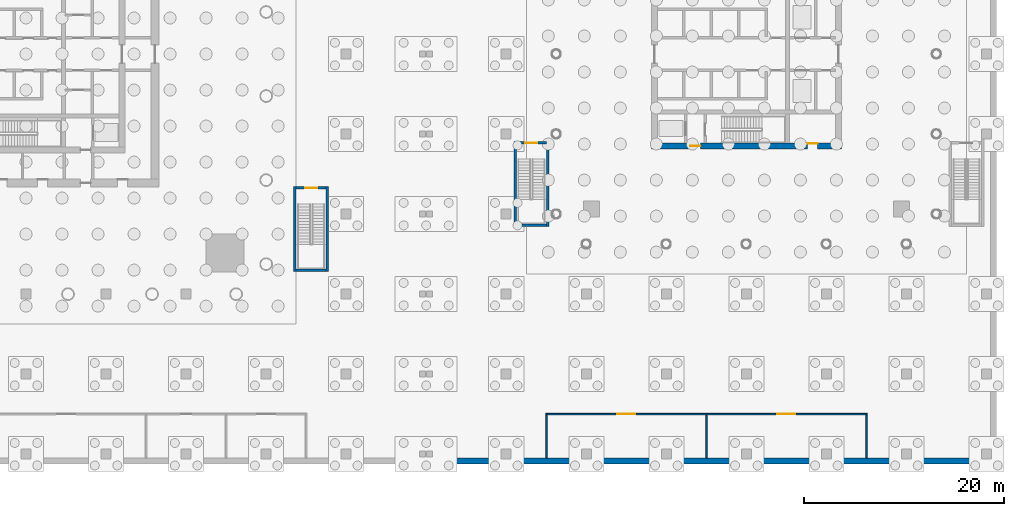
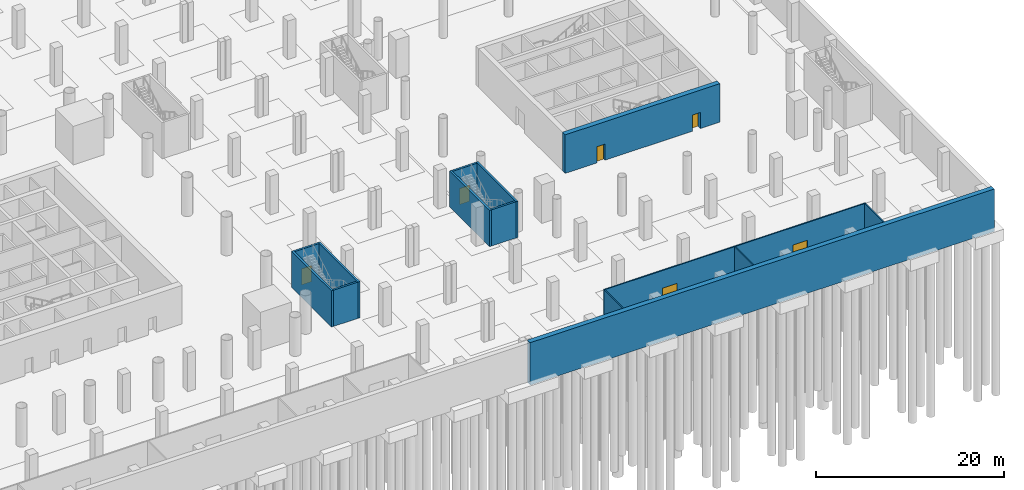
# One storey, part 14 of 24: 14 walls, 6 doors, 6 openings.
"""IFC4 building model written with IfcOpenShell, lengths in metres."""

from ifc_helpers import new_model, si_unit, direction, frame, frame_2d, origin, place, context, subcontext, project, spatial, rectangle, extrude, material, layer, layer_set, type_object, element, fill, save


model = new_model("IFC4")

# Units and contexts
model_context = context("Model", 3, precision=1e-05, world=origin(), true_north=direction((0.0, 1.0)))
body_context = subcontext(model_context, "Body", "Model", "MODEL_VIEW")
ifc_project = project(units=[si_unit("LENGTHUNIT", "METRE"), si_unit("AREAUNIT", "SQUARE_METRE"), si_unit("VOLUMEUNIT", "CUBIC_METRE"), si_unit("PLANEANGLEUNIT", "RADIAN"), si_unit("MASSUNIT", "GRAM", prefix="KILO")], contexts=[model_context])

# Site, building, storey
site_placement = place(None, origin())
site = spatial("IfcSite", under=ifc_project, at=site_placement, CompositionType="ELEMENT")
building_placement = place(site_placement, origin())
building = spatial("IfcBuilding", under=site, at=building_placement, Name="Ostroluk Exchange", CompositionType="ELEMENT")
storey_placement = place(building_placement, frame((0.0, 0.0, -10.0)))
storey = spatial("IfcBuildingStorey", under=building, at=storey_placement, Name="B2", CompositionType="ELEMENT", Elevation=-10.0)

# Walls
ifc_material_1 = material(Name="Concrete C35/45", Category="concrete")
ifc_layer_1 = layer(ifc_material_1, 0.60009765625)
ifc_layer_set_1 = layer_set([ifc_layer_1], Name="Basement retaining wall 600")
wall_type_1 = type_object("IfcWallType", Name="Basement retaining wall 600", PredefinedType="USERDEFINED", material=ifc_layer_set_1)
wall_1_placement = place(storey_placement, frame((85.02490234375, 5.300048828125, -0.5), z_axis=(0.0, 0.0, 1.0), x_axis=(1.0, 0.0, 0.0)))
element("IfcWall", 1, at=wall_1_placement, inside=storey, type_object=wall_type_1, Name="Retaining wall B2 SE", ObjectType="RETAINING WALL", PredefinedType="USERDEFINED", context=body_context, shape_type="SweptSolid", body=[
    extrude(rectangle(XDim=56.97509765625, YDim=0.60009765625, at=frame_2d((28.487548828125, 0.0))), origin(), (0.0, 0.0, 1.0), 5.5),
])
ifc_material_2 = material(Name="Concrete blockwork", Category="masonry")
ifc_layer_2 = layer(ifc_material_2, 0.25)
ifc_layer_set_2 = layer_set([ifc_layer_2], Name="Blockwork stair enclosure wall 250")
wall_type_2 = type_object("IfcWallType", Name="Blockwork stair enclosure wall 250", PredefinedType="SOLIDWALL", material=ifc_layer_set_2)
for number, where, z_axis, x_axis, name in (
    (2, (71.875, 24.25, 0.0), (0.0, 0.0, 1.0), (0.0, 1.0, 0.0), "Stair PS3 enclosure wall"),
    (3, (75.125, 24.25, 0.0), (0.0, 0.0, 1.0), (0.0, 1.0, 0.0), "Stair PS3 enclosure wall"),
):
    element("IfcWall", number, at=place(storey_placement, frame(where, z_axis=z_axis, x_axis=x_axis)), inside=storey, type_object=wall_type_2, Name=name, PredefinedType="SOLIDWALL", context=body_context, shape_type="SweptSolid", body=[
        extrude(rectangle(XDim=8.5, YDim=0.25, at=frame_2d((4.25, 0.0))), origin(), (0.0, 0.0, 1.0), 4.699951171875),
    ])
wall_2_placement = place(storey_placement, frame((72.0, 24.375, 0.0), z_axis=(0.0, 0.0, 1.0), x_axis=(1.0, 0.0, 0.0)))
element("IfcWall", 4, at=wall_2_placement, inside=storey, type_object=wall_type_2, Name="Stair PS3 enclosure wall", PredefinedType="SOLIDWALL", context=body_context, shape_type="SweptSolid", body=[
    extrude(rectangle(XDim=3.0, YDim=0.25, at=frame_2d((1.5, 0.0))), origin(), (0.0, 0.0, 1.0), 4.699951171875),
])

# Wall, opening, door
wall_3_placement = place(storey_placement, frame((72.0, 32.625, 0.0), z_axis=(0.0, 0.0, 1.0), x_axis=(1.0, 0.0, 0.0)))
wall_3 = element("IfcWall", 5, at=wall_3_placement, inside=storey, type_object=wall_type_2, Name="Stair PS3 enclosure wall", PredefinedType="SOLIDWALL", context=body_context, shape_type="SweptSolid", body=[
    extrude(rectangle(XDim=3.0, YDim=0.25, at=frame_2d((1.5, 0.0))), origin(), (0.0, 0.0, 1.0), 4.699951171875),
])
opening_1_placement = place(wall_3_placement, frame((0.89990234375, 0.0, 0.0)))
opening_1 = element("IfcOpeningElement", 6, at=opening_1_placement, cuts=wall_3, Name="Opening FD60S", PredefinedType="OPENING", context=body_context, shape_type="SweptSolid", body=[
    extrude(rectangle(XDim=1.199951171875, YDim=2.10009765625, at=frame_2d((0.60009765625, 1.050048828125))), frame((0.0, 0.135009765625, 0.0), z_axis=(0.0, -1.0, 0.0), x_axis=(1.0, 0.0, 0.0)), (0.0, 0.0, 1.0), 0.27001953125),
])
ifc_material_3 = material(Name="Steel", Category="steel")
door_type_1 = type_object("IfcDoorType", Name="Stair door EI 60 1200 x 2100", OperationType="SINGLE_SWING_LEFT", PredefinedType="DOOR", material=ifc_material_3)
door_1_placement = place(opening_1_placement, origin())
door_1 = element("IfcDoor", 7, at=door_1_placement, inside=storey, type_object=door_type_1, Name="Stair PS3 door", OperationType="SINGLE_SWING_LEFT", OverallHeight=2.10009765625, OverallWidth=1.199951171875, PredefinedType="DOOR", context=body_context, shape_type="SweptSolid", body=[
    extrude(rectangle(XDim=1.199951171875, YDim=2.10009765625, at=frame_2d((0.60009765625, 1.050048828125))), frame((0.0, 0.02490234375, 0.0), z_axis=(0.0, -1.0, 0.0), x_axis=(1.0, 0.0, 0.0)), (0.0, 0.0, 1.0), 0.050048828125),
])
fill(opening_1, door_1)

# Walls
for number, where, z_axis, x_axis, name in (
    (8, (93.875, 28.75, 0.0), (0.0, 0.0, 1.0), (0.0, 1.0, 0.0), "Stair PS5 enclosure wall"),
    (9, (97.125, 28.75, 0.0), (0.0, 0.0, 1.0), (0.0, 1.0, 0.0), "Stair PS5 enclosure wall"),
):
    element("IfcWall", number, at=place(storey_placement, frame(where, z_axis=z_axis, x_axis=x_axis)), inside=storey, type_object=wall_type_2, Name=name, PredefinedType="SOLIDWALL", context=body_context, shape_type="SweptSolid", body=[
        extrude(rectangle(XDim=8.5, YDim=0.25, at=frame_2d((4.25, 0.0))), origin(), (0.0, 0.0, 1.0), 4.699951171875),
    ])
wall_4_placement = place(storey_placement, frame((94.0, 28.875, 0.0), z_axis=(0.0, 0.0, 1.0), x_axis=(1.0, 0.0, 0.0)))
element("IfcWall", 10, at=wall_4_placement, inside=storey, type_object=wall_type_2, Name="Stair PS5 enclosure wall", PredefinedType="SOLIDWALL", context=body_context, shape_type="SweptSolid", body=[
    extrude(rectangle(XDim=3.0, YDim=0.25, at=frame_2d((1.5, 0.0))), origin(), (0.0, 0.0, 1.0), 4.699951171875),
])

# Wall, opening, door
wall_5_placement = place(storey_placement, frame((94.0, 37.125, 0.0), z_axis=(0.0, 0.0, 1.0), x_axis=(1.0, 0.0, 0.0)))
wall_5 = element("IfcWall", 11, at=wall_5_placement, inside=storey, type_object=wall_type_2, Name="Stair PS5 enclosure wall", PredefinedType="SOLIDWALL", context=body_context, shape_type="SweptSolid", body=[
    extrude(rectangle(XDim=3.0, YDim=0.25, at=frame_2d((1.5, 0.0))), origin(), (0.0, 0.0, 1.0), 4.699951171875),
])
opening_2_placement = place(wall_5_placement, frame((0.89990234375, 0.0, 0.0)))
opening_2 = element("IfcOpeningElement", 12, at=opening_2_placement, cuts=wall_5, Name="Opening FD60S", PredefinedType="OPENING", context=body_context, shape_type="SweptSolid", body=[
    extrude(rectangle(XDim=1.199951171875, YDim=2.10009765625, at=frame_2d((0.60009765625, 1.050048828125))), frame((0.0, 0.135009765625, 0.0), z_axis=(0.0, -1.0, 0.0), x_axis=(1.0, 0.0, 0.0)), (0.0, 0.0, 1.0), 0.27001953125),
])
door_2_placement = place(opening_2_placement, origin())
door_2 = element("IfcDoor", 13, at=door_2_placement, inside=storey, type_object=door_type_1, Name="Stair PS5 door", OperationType="SINGLE_SWING_LEFT", OverallHeight=2.10009765625, OverallWidth=1.199951171875, PredefinedType="DOOR", context=body_context, shape_type="SweptSolid", body=[
    extrude(rectangle(XDim=1.199951171875, YDim=2.10009765625, at=frame_2d((0.60009765625, 1.050048828125))), frame((0.0, 0.02490234375, 0.0), z_axis=(0.0, -1.0, 0.0), x_axis=(1.0, 0.0, 0.0)), (0.0, 0.0, 1.0), 0.050048828125),
])
fill(opening_2, door_2)

# Wall, openings, doors
ifc_material_4 = material(Name="Concrete C50/60", Category="concrete")
ifc_layer_3 = layer(ifc_material_4, 0.60009765625)
ifc_layer_set_3 = layer_set([ifc_layer_3], Name="Core wall 600 C50/60")
wall_type_3 = type_object("IfcWallType", Name="Core wall 600 C50/60", PredefinedType="SHEAR", material=ifc_layer_set_3)
wall_6_placement = place(storey_placement, frame((107.5, 36.800048828125, 0.0), z_axis=(0.0, 0.0, 1.0), x_axis=(1.0, 0.0, 0.0)))
wall_6 = element("IfcWall", 14, at=wall_6_placement, inside=storey, type_object=wall_type_3, Name="T2 core wall S", PredefinedType="SHEAR", context=body_context, shape_type="SweptSolid", body=[
    extrude(rectangle(XDim=19.0, YDim=0.60009765625, at=frame_2d((9.5, 0.0))), origin(), (0.0, 0.0, 1.0), 5.0),
])
opening_3_placement = place(wall_6_placement, frame((3.89990234375, 0.0, 0.0)))
opening_3 = element("IfcOpeningElement", 15, at=opening_3_placement, cuts=wall_6, Name="Opening FD60", PredefinedType="OPENING", context=body_context, shape_type="SweptSolid", body=[
    extrude(rectangle(XDim=1.0, YDim=2.10009765625, at=frame_2d((0.5, 1.050048828125))), frame((0.0, 0.31005859375, 0.0), z_axis=(0.0, -1.0, 0.0), x_axis=(1.0, 0.0, 0.0)), (0.0, 0.0, 1.0), 0.6201171875),
])
opening_4_placement = place(wall_6_placement, frame((15.614990234375, 0.0, 0.0)))
opening_4 = element("IfcOpeningElement", 16, at=opening_4_placement, cuts=wall_6, Name="Opening FD60", PredefinedType="OPENING", context=body_context, shape_type="SweptSolid", body=[
    extrude(rectangle(XDim=1.0, YDim=2.10009765625, at=frame_2d((0.5, 1.050048828125))), frame((0.0, 0.31005859375, 0.0), z_axis=(0.0, -1.0, 0.0), x_axis=(1.0, 0.0, 0.0)), (0.0, 0.0, 1.0), 0.6201171875),
])
ifc_material_5 = material(Name="Steel", Category="steel")
door_type_2 = type_object("IfcDoorType", Name="Fire door EI 60 1000 x 2100", OperationType="SINGLE_SWING_LEFT", PredefinedType="DOOR", material=ifc_material_5)
door_3_placement = place(opening_3_placement, origin())
door_3 = element("IfcDoor", 17, at=door_3_placement, inside=storey, type_object=door_type_2, Name="Firefighting lobby door", OperationType="SINGLE_SWING_LEFT", OverallHeight=2.10009765625, OverallWidth=1.0, PredefinedType="DOOR", context=body_context, shape_type="SweptSolid", body=[
    extrude(rectangle(XDim=1.0, YDim=2.10009765625, at=frame_2d((0.5, 1.050048828125))), frame((0.0, 0.02490234375, 0.0), z_axis=(0.0, -1.0, 0.0), x_axis=(1.0, 0.0, 0.0)), (0.0, 0.0, 1.0), 0.050048828125),
])
fill(opening_3, door_3)
door_4_placement = place(opening_4_placement, origin())
door_4 = element("IfcDoor", 18, at=door_4_placement, inside=storey, type_object=door_type_2, Name="Electrical switch room door", OperationType="SINGLE_SWING_RIGHT", OverallHeight=2.10009765625, OverallWidth=1.0, PredefinedType="DOOR", context=body_context, shape_type="SweptSolid", body=[
    extrude(rectangle(XDim=1.0, YDim=2.10009765625, at=frame_2d((0.5, 1.050048828125))), frame((0.0, 0.2900390625, 0.0), z_axis=(0.0, -1.0, 0.0), x_axis=(1.0, 0.0, 0.0)), (0.0, 0.0, 1.0), 0.050048828125),
])
fill(opening_4, door_4)

ifc_material_6 = material(Name="Gypsum plasterboard partition", Category="gypsum")
ifc_layer_4 = layer(ifc_material_6, 0.14990234375)
ifc_layer_set_4 = layer_set([ifc_layer_4], Name="Plasterboard partition 150")
wall_type_4 = type_object("IfcWallType", Name="Plasterboard partition 150", PredefinedType="PARTITIONING", material=ifc_layer_set_4)
wall_7_placement = place(storey_placement, frame((96.925048828125, 10.0, 0.0), z_axis=(0.0, 0.0, 1.0), x_axis=(1.0, 0.0, 0.0)))
wall_7 = element("IfcWall", 19, at=wall_7_placement, inside=storey, type_object=wall_type_4, Name="Partition", PredefinedType="PARTITIONING", context=body_context, shape_type="SweptSolid", body=[
    extrude(rectangle(XDim=32.14990234375, YDim=0.14990234375, at=frame_2d((16.074951171875, 0.0))), origin(), (0.0, 0.0, 1.0), 4.699951171875),
])
opening_5_placement = place(wall_7_placement, frame((7.175048828125, 0.0, 0.0)))
opening_5 = element("IfcOpeningElement", 20, at=opening_5_placement, cuts=wall_7, Name="Opening D-04", PredefinedType="OPENING", context=body_context, shape_type="SweptSolid", body=[
    extrude(rectangle(XDim=1.800048828125, YDim=2.39990234375, at=frame_2d((0.89990234375, 1.199951171875))), frame((0.0, 0.0849609375, 0.0), z_axis=(0.0, -1.0, 0.0), x_axis=(1.0, 0.0, 0.0)), (0.0, 0.0, 1.0), 0.169921875),
])
opening_6_placement = place(wall_7_placement, frame((23.175048828125, 0.0, 0.0)))
opening_6 = element("IfcOpeningElement", 21, at=opening_6_placement, cuts=wall_7, Name="Opening D-05", PredefinedType="OPENING", context=body_context, shape_type="SweptSolid", body=[
    extrude(rectangle(XDim=1.800048828125, YDim=2.39990234375, at=frame_2d((0.89990234375, 1.199951171875))), frame((0.0, 0.0849609375, 0.0), z_axis=(0.0, -1.0, 0.0), x_axis=(1.0, 0.0, 0.0)), (0.0, 0.0, 1.0), 0.169921875),
])
ifc_material_7 = material(Name="Timber", Category="wood")
door_type_3 = type_object("IfcDoorType", Name="Double door 1800 x 2400", OperationType="DOUBLE_DOOR_SINGLE_SWING", PredefinedType="DOOR", material=ifc_material_7)
door_5_placement = place(opening_5_placement, origin())
door_5 = element("IfcDoor", 22, at=door_5_placement, inside=storey, type_object=door_type_3, Name="Hotel boiler and pump plant room door", OperationType="DOUBLE_DOOR_SINGLE_SWING", OverallHeight=2.39990234375, OverallWidth=1.800048828125, PredefinedType="DOOR", context=body_context, shape_type="SweptSolid", body=[
    extrude(rectangle(XDim=1.800048828125, YDim=2.39990234375, at=frame_2d((0.89990234375, 1.199951171875))), frame((0.0, 0.02490234375, 0.0), z_axis=(0.0, -1.0, 0.0), x_axis=(1.0, 0.0, 0.0)), (0.0, 0.0, 1.0), 0.050048828125),
])
fill(opening_5, door_5)
ifc_material_8 = material(Name="Steel", Category="steel")
door_type_4 = type_object("IfcDoorType", Name="Plant room double door EI 60 1800 x 2400", OperationType="DOUBLE_DOOR_SINGLE_SWING", PredefinedType="DOOR", material=ifc_material_8)
door_6_placement = place(opening_6_placement, origin())
door_6 = element("IfcDoor", 23, at=door_6_placement, inside=storey, type_object=door_type_4, Name="Laundry plant room door", OperationType="DOUBLE_DOOR_SINGLE_SWING", OverallHeight=2.39990234375, OverallWidth=1.800048828125, PredefinedType="DOOR", context=body_context, shape_type="SweptSolid", body=[
    extrude(rectangle(XDim=1.800048828125, YDim=2.39990234375, at=frame_2d((0.89990234375, 1.199951171875))), frame((0.0, 0.02490234375, 0.0), z_axis=(0.0, -1.0, 0.0), x_axis=(1.0, 0.0, 0.0)), (0.0, 0.0, 1.0), 0.050048828125),
])
fill(opening_6, door_6)

# Walls
for number, where, z_axis, x_axis, name in (
    (24, (97.0, 9.925048828125, 0.0), (0.0, 0.0, 1.0), (0.0, -1.0, 0.0), "Partition"),
    (25, (113.0, 9.925048828125, 0.0), (0.0, 0.0, 1.0), (0.0, -1.0, 0.0), "Partition"),
    (26, (129.0, 9.925048828125, 0.0), (0.0, 0.0, 1.0), (0.0, -1.0, 0.0), "Partition"),
):
    element("IfcWall", number, at=place(storey_placement, frame(where, z_axis=z_axis, x_axis=x_axis)), inside=storey, type_object=wall_type_4, Name=name, PredefinedType="PARTITIONING", context=body_context, shape_type="SweptSolid", body=[
        extrude(rectangle(XDim=4.324951171875, YDim=0.14990234375, at=frame_2d((2.16259765625, 0.0))), origin(), (0.0, 0.0, 1.0), 4.699951171875),
    ])

save(model, "model.ifc")
